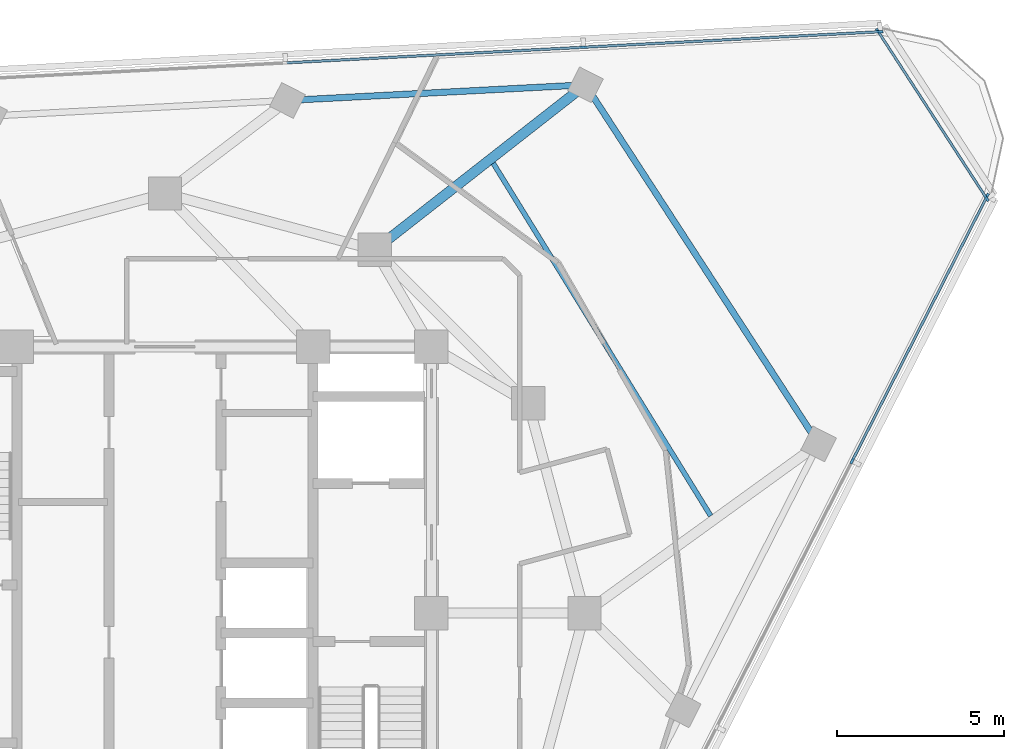
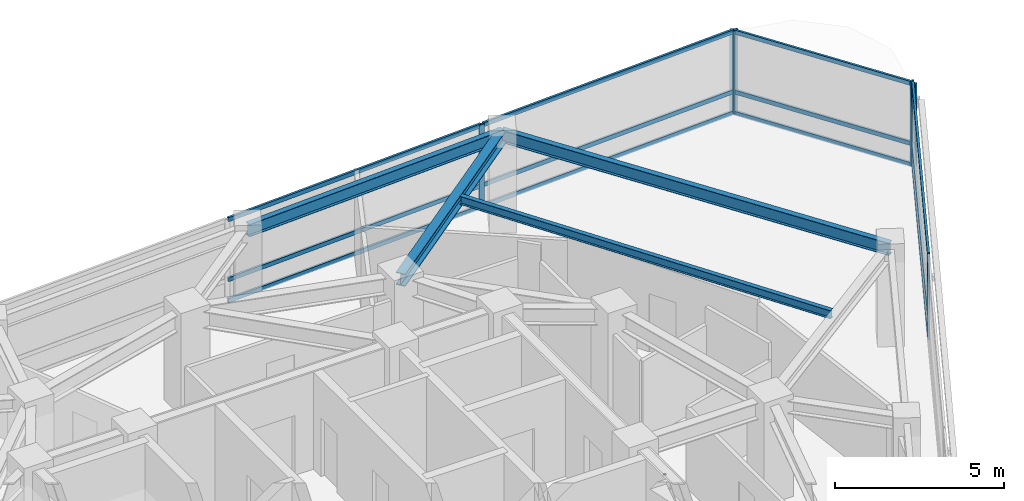
# One storey, part 6 of 15: 18 members, 4 beams, 3 elements without a shape of their own.
"""IFC4 building model written with IfcOpenShell, lengths in metres."""

from ifc_helpers import new_model, si_unit, direction, frame, origin, origin_2d, place, context, subcontext, project, spatial, rectangle, i_section, extrude, material, layer, layer_set, material_profile, profile_set, type_object, element, aggregate, save


model = new_model("IFC4")

# Units and contexts
model_context = context("Model", 3, precision=1e-05, world=origin(), true_north=direction((0.0, 1.0)))
body_context = subcontext(model_context, "Body", "Model", "MODEL_VIEW")
ifc_project = project(units=[si_unit("LENGTHUNIT", "METRE"), si_unit("AREAUNIT", "SQUARE_METRE"), si_unit("VOLUMEUNIT", "CUBIC_METRE"), si_unit("PLANEANGLEUNIT", "RADIAN"), si_unit("MASSUNIT", "GRAM", prefix="KILO")], contexts=[model_context])

# Site, building, storey
site_placement = place(None, origin())
site = spatial("IfcSite", under=ifc_project, at=site_placement, CompositionType="ELEMENT")
building_placement = place(site_placement, origin())
building = spatial("IfcBuilding", under=site, at=building_placement, Name="Terralouvre Media Tower", CompositionType="ELEMENT")
storey_placement = place(building_placement, frame((0.0, 0.0, 263.300048828125)))
storey = spatial("IfcBuildingStorey", under=building, at=storey_placement, Name="L68", CompositionType="ELEMENT", Elevation=263.300048828125)

# Beam
ifc_material_1 = material(Name="Structural steel S355J2", Category="steel")
ifc_material_profile_1 = material_profile(ifc_material_1, i_section(OverallWidth=0.14990234375, OverallDepth=0.300048828125, WebThickness=0.007080078125, FlangeThickness=0.0107421875, at=origin_2d()), Name="IPE 300")
ifc_profile_set_1 = profile_set([ifc_material_profile_1], Name="Structural steel S355J2")
beam_type_1 = type_object("IfcBeamType", Name="Composite Floor Joist J-IPE300 (IPE 300)", PredefinedType="JOIST", material=ifc_profile_set_1)
beam_1_placement = place(storey_placement, frame((16.387451171875, 2.9228515625, 3.349853515625), z_axis=(-0.524944877802, 0.851136226035, 0.0), x_axis=(-0.851136226035, -0.524944877802, 0.0)))
element("IfcBeam", 1, at=beam_1_placement, inside=storey, type_object=beam_type_1, Name="L68 Framing Beam JT-L68-03", PredefinedType="JOIST", context=body_context, shape_type="SweptSolid", body=[
    extrude(i_section(OverallWidth=0.14990234375, OverallDepth=0.300048828125, WebThickness=0.007080078125, FlangeThickness=0.0107421875, at=origin_2d()), origin(), (0.0, 0.0, 1.0), 12.43701171875),
])

# Curtain wall, members
ifc_material_2 = material(Name="Low-iron laminated double glazing with solar-control coating", Category="glass")
ifc_layer_1 = layer(ifc_material_2, 0.1650390625, Name="Upper Executive Tower Curtain Wall CW-05")
ifc_layer_set_1 = layer_set([ifc_layer_1], Name="Low-iron laminated double glazing with solar-control coating")
curtain_wall_type_1 = type_object("IfcCurtainWallType", Name="Upper Executive Tower Curtain Wall CW-05", PredefinedType="NOTDEFINED", material=ifc_layer_set_1)
curtain_wall_1_placement = place(storey_placement, origin())
curtain_wall_1 = element("IfcCurtainWall", 2, at=curtain_wall_1_placement, inside=storey, type_object=curtain_wall_type_1, Name="L68 Facade Curtain Wall F0", PredefinedType="NOTDEFINED")
ifc_material_3 = material(Name="Anodised extruded aluminium 6063-T6", Category="aluminium")
ifc_material_profile_2 = material_profile(ifc_material_3, rectangle(XDim=0.074951171875, YDim=0.14990234375, at=origin_2d()), Name="ALU 75x150")
ifc_profile_set_2 = profile_set([ifc_material_profile_2], Name="Anodised extruded aluminium 6063-T6")
member_type_1 = type_object("IfcMemberType", Name="Curtain-Wall Horizontal Transom TR-150", PredefinedType="USERDEFINED", material=ifc_profile_set_2)
member_1_placement = place(storey_placement, frame((20.6533203125, 4.602783203125, 0.037353515625), z_axis=(0.453989026721, 0.891007274727, 0.0), x_axis=(-0.891007274727, 0.453989026721, 0.0)))
member_1 = element("IfcMember", 3, at=member_1_placement, type_object=member_type_1, Name="CW-05 transom 5.1", ObjectType="TRANSOM", PredefinedType="USERDEFINED", context=body_context, shape_type="SweptSolid", body=[
    extrude(rectangle(XDim=0.074951171875, YDim=0.14990234375, at=origin_2d()), origin(), (0.0, 0.0, 1.0), 8.847412109375),
])
member_2_placement = place(storey_placement, frame((20.6533203125, 4.602783203125, 0.800048828125), z_axis=(0.453989026721, 0.891007274727, 0.0), x_axis=(-0.891007274727, 0.453989026721, 0.0)))
member_2 = element("IfcMember", 4, at=member_2_placement, type_object=member_type_1, Name="CW-05 transom 5.2", ObjectType="TRANSOM", PredefinedType="USERDEFINED", context=body_context, shape_type="SweptSolid", body=[
    extrude(rectangle(XDim=0.074951171875, YDim=0.14990234375, at=origin_2d()), origin(), (0.0, 0.0, 1.0), 8.847412109375),
])
member_3_placement = place(storey_placement, frame((20.6533203125, 4.602783203125, 2.96240234375), z_axis=(0.453989026721, 0.891007274727, 0.0), x_axis=(-0.891007274727, 0.453989026721, 0.0)))
member_3 = element("IfcMember", 5, at=member_3_placement, type_object=member_type_1, Name="CW-05 transom 5.3", ObjectType="TRANSOM", PredefinedType="USERDEFINED", context=body_context, shape_type="SweptSolid", body=[
    extrude(rectangle(XDim=0.074951171875, YDim=0.14990234375, at=origin_2d()), origin(), (0.0, 0.0, 1.0), 8.847412109375),
])

curtain_wall_2_placement = place(storey_placement, origin())
curtain_wall_2 = element("IfcCurtainWall", 6, at=curtain_wall_2_placement, inside=storey, type_object=curtain_wall_type_1, Name="L68 Facade Curtain Wall F1", PredefinedType="NOTDEFINED")
member_4_placement = place(storey_placement, frame((21.440673828125, 17.458740234375, 0.037353515625), z_axis=(-0.99862901196, -0.052345930801, 0.0), x_axis=(0.052345930801, -0.99862901196, 0.0)))
member_4 = element("IfcMember", 7, at=member_4_placement, type_object=member_type_1, Name="CW-05 transom 1.1", ObjectType="TRANSOM", PredefinedType="USERDEFINED", context=body_context, shape_type="SweptSolid", body=[
    extrude(rectangle(XDim=0.074951171875, YDim=0.14990234375, at=origin_2d()), origin(), (0.0, 0.0, 1.0), 8.84765625),
])
member_5_placement = place(storey_placement, frame((21.440673828125, 17.458740234375, 0.800048828125), z_axis=(-0.99862901196, -0.052345930801, 0.0), x_axis=(0.052345930801, -0.99862901196, 0.0)))
member_5 = element("IfcMember", 8, at=member_5_placement, type_object=member_type_1, Name="CW-05 transom 1.2", ObjectType="TRANSOM", PredefinedType="USERDEFINED", context=body_context, shape_type="SweptSolid", body=[
    extrude(rectangle(XDim=0.074951171875, YDim=0.14990234375, at=origin_2d()), origin(), (0.0, 0.0, 1.0), 8.84765625),
])
member_6_placement = place(storey_placement, frame((21.440673828125, 17.458740234375, 2.96240234375), z_axis=(-0.99862901196, -0.052345930801, 0.0), x_axis=(0.052345930801, -0.99862901196, 0.0)))
member_6 = element("IfcMember", 9, at=member_6_placement, type_object=member_type_1, Name="CW-05 transom 1.3", ObjectType="TRANSOM", PredefinedType="USERDEFINED", context=body_context, shape_type="SweptSolid", body=[
    extrude(rectangle(XDim=0.074951171875, YDim=0.14990234375, at=origin_2d()), origin(), (0.0, 0.0, 1.0), 8.84765625),
])
member_7_placement = place(storey_placement, frame((12.5302734375, 16.99169921875, 0.037353515625), z_axis=(-0.998629040577, -0.052345384869, 0.0), x_axis=(0.052345384869, -0.998629040577, 0.0)))
member_7 = element("IfcMember", 10, at=member_7_placement, type_object=member_type_1, Name="CW-05 transom 2.1", ObjectType="TRANSOM", PredefinedType="USERDEFINED", context=body_context, shape_type="SweptSolid", body=[
    extrude(rectangle(XDim=0.074951171875, YDim=0.14990234375, at=origin_2d()), origin(), (0.0, 0.0, 1.0), 8.885009765625),
])
member_8_placement = place(storey_placement, frame((12.5302734375, 16.99169921875, 0.800048828125), z_axis=(-0.998629040577, -0.052345384869, 0.0), x_axis=(0.052345384869, -0.998629040577, 0.0)))
member_8 = element("IfcMember", 11, at=member_8_placement, type_object=member_type_1, Name="CW-05 transom 2.2", ObjectType="TRANSOM", PredefinedType="USERDEFINED", context=body_context, shape_type="SweptSolid", body=[
    extrude(rectangle(XDim=0.074951171875, YDim=0.14990234375, at=origin_2d()), origin(), (0.0, 0.0, 1.0), 8.885009765625),
])
member_9_placement = place(storey_placement, frame((12.5302734375, 16.99169921875, 2.96240234375), z_axis=(-0.998629040577, -0.052345384869, 0.0), x_axis=(0.052345384869, -0.998629040577, 0.0)))
member_9 = element("IfcMember", 12, at=member_9_placement, type_object=member_type_1, Name="CW-05 transom 2.3", ObjectType="TRANSOM", PredefinedType="USERDEFINED", context=body_context, shape_type="SweptSolid", body=[
    extrude(rectangle(XDim=0.074951171875, YDim=0.14990234375, at=origin_2d()), origin(), (0.0, 0.0, 1.0), 8.885009765625),
])

ifc_material_4 = material(Name="Low-iron laminated double glazing with solar-control coating", Category="glass")
ifc_layer_2 = layer(ifc_material_4, 0.1650390625, Name="Rounded Wind-Corner Curved Glazing CW-04")
ifc_layer_set_2 = layer_set([ifc_layer_2], Name="Low-iron laminated double glazing with solar-control coating")
curtain_wall_type_2 = type_object("IfcCurtainWallType", Name="Rounded Wind-Corner Curved Glazing CW-04", PredefinedType="NOTDEFINED", material=ifc_layer_set_2)
curtain_wall_3_placement = place(storey_placement, origin())
curtain_wall_3 = element("IfcCurtainWall", 13, at=curtain_wall_3_placement, inside=storey, type_object=curtain_wall_type_2, Name="L68 Rounded Wind-Corner Curtain Wall C1", PredefinedType="NOTDEFINED")
member_10_placement = place(storey_placement, frame((24.65283203125, 12.48486328125, 0.037353515625), z_axis=(-0.544654480098, 0.838660537589, 0.0), x_axis=(-0.838660537589, -0.544654480098, 0.0)))
member_10 = element("IfcMember", 14, at=member_10_placement, type_object=member_type_1, Name="CW-04 transom 1.1", ObjectType="TRANSOM", PredefinedType="USERDEFINED", context=body_context, shape_type="SweptSolid", body=[
    extrude(rectangle(XDim=0.074951171875, YDim=0.14990234375, at=origin_2d()), origin(), (0.0, 0.0, 1.0), 5.912353515625),
])
member_11_placement = place(storey_placement, frame((24.65283203125, 12.48486328125, 0.800048828125), z_axis=(-0.544654480098, 0.838660537589, 0.0), x_axis=(-0.838660537589, -0.544654480098, 0.0)))
member_11 = element("IfcMember", 15, at=member_11_placement, type_object=member_type_1, Name="CW-04 transom 1.2", ObjectType="TRANSOM", PredefinedType="USERDEFINED", context=body_context, shape_type="SweptSolid", body=[
    extrude(rectangle(XDim=0.074951171875, YDim=0.14990234375, at=origin_2d()), origin(), (0.0, 0.0, 1.0), 5.912353515625),
])
member_12_placement = place(storey_placement, frame((24.65283203125, 12.48486328125, 2.96240234375), z_axis=(-0.544654480098, 0.838660537589, 0.0), x_axis=(-0.838660537589, -0.544654480098, 0.0)))
member_12 = element("IfcMember", 16, at=member_12_placement, type_object=member_type_1, Name="CW-04 transom 1.3", ObjectType="TRANSOM", PredefinedType="USERDEFINED", context=body_context, shape_type="SweptSolid", body=[
    extrude(rectangle(XDim=0.074951171875, YDim=0.14990234375, at=origin_2d()), origin(), (0.0, 0.0, 1.0), 5.912353515625),
])

# Member
ifc_material_5 = material(Name="Anodised extruded aluminium 6063-T6", Category="aluminium")
ifc_material_profile_3 = material_profile(ifc_material_5, rectangle(XDim=0.074951171875, YDim=0.179931640625, at=origin_2d()), Name="ALU 75x180")
ifc_profile_set_3 = profile_set([ifc_material_profile_3], Name="Anodised extruded aluminium 6063-T6")
member_type_2 = type_object("IfcMemberType", Name="Curtain-Wall Vertical Mullion ML-180", PredefinedType="MULLION", material=ifc_profile_set_3)
member_13_placement = place(storey_placement, frame((20.63623046875, 4.5693359375, 0.0), z_axis=(0.0, 0.0, 1.0), x_axis=(-0.891006553308, 0.45399044259, 0.0)))
member_13 = element("IfcMember", 17, at=member_13_placement, type_object=member_type_2, Name="CW-05 mullion 5", PredefinedType="MULLION", context=body_context, shape_type="SweptSolid", body=[
    extrude(rectangle(XDim=0.074951171875, YDim=0.179931640625, at=origin_2d()), origin(), (0.0, 0.0, 1.0), 3.0),
])

member_14_placement = place(storey_placement, frame((24.68701171875, 12.519287109375, 0.0), z_axis=(0.0, 0.0, 1.0), x_axis=(-0.891006553308, 0.45399044259, 0.0)))
member_14 = element("IfcMember", 18, at=member_14_placement, type_object=member_type_2, Name="CW-05 mullion 6", PredefinedType="MULLION", context=body_context, shape_type="SweptSolid", body=[
    extrude(rectangle(XDim=0.074951171875, YDim=0.179931640625, at=origin_2d()), origin(), (0.0, 0.0, 1.0), 3.0),
])

aggregate(curtain_wall_1, [member_13, member_14, member_1, member_2, member_3])

member_15_placement = place(storey_placement, frame((21.47802734375, 17.460693359375, 0.0), z_axis=(0.0, 0.0, 1.0), x_axis=(0.052336163844, -0.998629523875, 0.0)))
member_15 = element("IfcMember", 19, at=member_15_placement, type_object=member_type_2, Name="CW-05 mullion 1", PredefinedType="MULLION", context=body_context, shape_type="SweptSolid", body=[
    extrude(rectangle(XDim=0.074951171875, YDim=0.179931640625, at=origin_2d()), origin(), (0.0, 0.0, 1.0), 3.0),
])

member_16_placement = place(storey_placement, frame((12.56787109375, 16.99365234375, 0.0), z_axis=(0.0, 0.0, 1.0), x_axis=(0.052336163844, -0.998629523875, 0.0)))
member_16 = element("IfcMember", 20, at=member_16_placement, type_object=member_type_2, Name="CW-05 mullion 2", PredefinedType="MULLION", context=body_context, shape_type="SweptSolid", body=[
    extrude(rectangle(XDim=0.074951171875, YDim=0.179931640625, at=origin_2d()), origin(), (0.0, 0.0, 1.0), 3.0),
])

aggregate(curtain_wall_2, [member_15, member_16, member_4, member_5, member_6, member_7, member_8, member_9])

member_17_placement = place(storey_placement, frame((24.673095703125, 12.453369140625, 0.0), z_axis=(0.0, 0.0, 1.0), x_axis=(-0.838670462688, -0.544639197097, 0.0)))
member_17 = element("IfcMember", 21, at=member_17_placement, type_object=member_type_2, Name="CW-04 mullion 1", PredefinedType="MULLION", context=body_context, shape_type="SweptSolid", body=[
    extrude(rectangle(XDim=0.074951171875, YDim=0.179931640625, at=origin_2d()), origin(), (0.0, 0.0, 1.0), 3.0),
])

member_18_placement = place(storey_placement, frame((21.412353515625, 17.474853515625, 0.0), z_axis=(0.0, 0.0, 1.0), x_axis=(-0.838670462688, -0.544639197097, 0.0)))
member_18 = element("IfcMember", 22, at=member_18_placement, type_object=member_type_2, Name="CW-04 mullion 2", PredefinedType="MULLION", context=body_context, shape_type="SweptSolid", body=[
    extrude(rectangle(XDim=0.074951171875, YDim=0.179931640625, at=origin_2d()), origin(), (0.0, 0.0, 1.0), 3.0),
])

aggregate(curtain_wall_3, [member_17, member_18, member_10, member_11, member_12])

# Beams
ifc_material_6 = material(Name="Structural steel S355J2", Category="steel")
ifc_material_profile_4 = material_profile(ifc_material_6, i_section(OverallWidth=0.18994140625, OverallDepth=0.449951171875, WebThickness=0.009521484375, FlangeThickness=0.0146484375, at=origin_2d()), Name="IPE 450")
ifc_profile_set_4 = profile_set([ifc_material_profile_4], Name="Structural steel S355J2")
beam_type_2 = type_object("IfcBeamType", Name="Perimeter Spandrel Beam SPB-450 (IPE 450)", PredefinedType="SPANDREL", material=ifc_profile_set_4)
beam_2_placement = place(storey_placement, frame((19.62939453125, 5.082275390625, 3.27490234375), z_axis=(-0.544633890672, 0.838673908699, 0.0), x_axis=(-0.838673908699, -0.544633890672, 0.0)))
element("IfcBeam", 23, at=beam_2_placement, inside=storey, type_object=beam_type_2, Name="L68 Framing Beam BM-L68-PR07", PredefinedType="SPANDREL", context=body_context, shape_type="SweptSolid", body=[
    extrude(i_section(OverallWidth=0.18994140625, OverallDepth=0.449951171875, WebThickness=0.009521484375, FlangeThickness=0.0146484375, at=origin_2d()), origin(), (0.0, 0.0, 1.0), 12.857177734375),
])
beam_3_placement = place(storey_placement, frame((12.626953125, 15.865234375, 3.27490234375), z_axis=(-0.998629171747, -0.052342882372, 0.0), x_axis=(0.052342882372, -0.998629171747, 0.0)))
element("IfcBeam", 24, at=beam_3_placement, inside=storey, type_object=beam_type_2, Name="L68 Framing Beam BM-L68-PR08", PredefinedType="SPANDREL", context=body_context, shape_type="SweptSolid", body=[
    extrude(i_section(OverallWidth=0.18994140625, OverallDepth=0.449951171875, WebThickness=0.009521484375, FlangeThickness=0.0146484375, at=origin_2d()), origin(), (0.0, 0.0, 1.0), 8.9599609375),
])
ifc_material_7 = material(Name="Structural steel S355J2", Category="steel")
ifc_material_profile_5 = material_profile(ifc_material_7, i_section(OverallWidth=0.300048828125, OverallDepth=0.449951171875, WebThickness=0.013916015625, FlangeThickness=0.02587890625, at=origin_2d()), Name="HEB 450")
ifc_profile_set_5 = profile_set([ifc_material_profile_5], Name="Structural steel S355J2")
beam_type_3 = type_object("IfcBeamType", Name="Primary Floor Girder B-HEB450 (HEB 450)", PredefinedType="BEAM", material=ifc_profile_set_5)
beam_4_placement = place(storey_placement, frame((6.300048828125, 10.911865234375, 3.27490234375), z_axis=(0.787391503235, 0.616453259083, 0.0), x_axis=(-0.616453259083, 0.787391503235, 0.0)))
element("IfcBeam", 25, at=beam_4_placement, inside=storey, type_object=beam_type_3, Name="L68 Framing Beam BM-L68-RD08", PredefinedType="BEAM", context=body_context, shape_type="SweptSolid", body=[
    extrude(i_section(OverallWidth=0.300048828125, OverallDepth=0.449951171875, WebThickness=0.013916015625, FlangeThickness=0.02587890625, at=origin_2d()), origin(), (0.0, 0.0, 1.0), 8.03515625),
])

save(model, "model.ifc")
